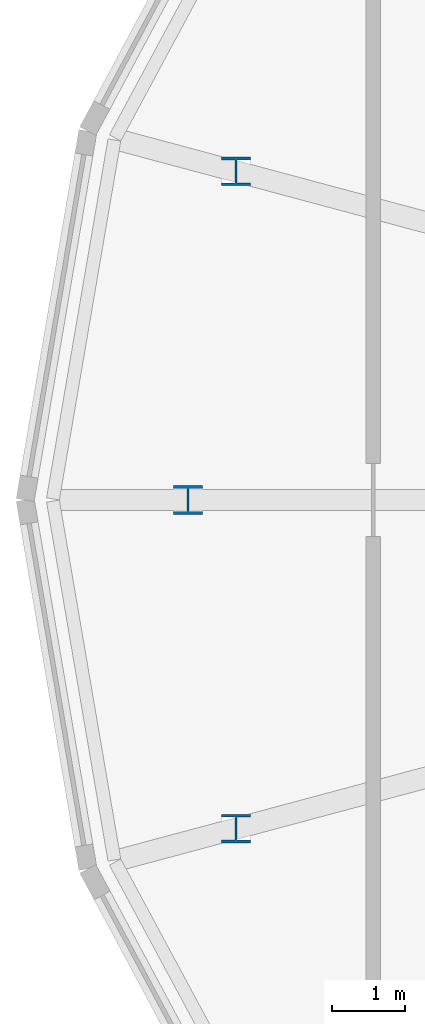
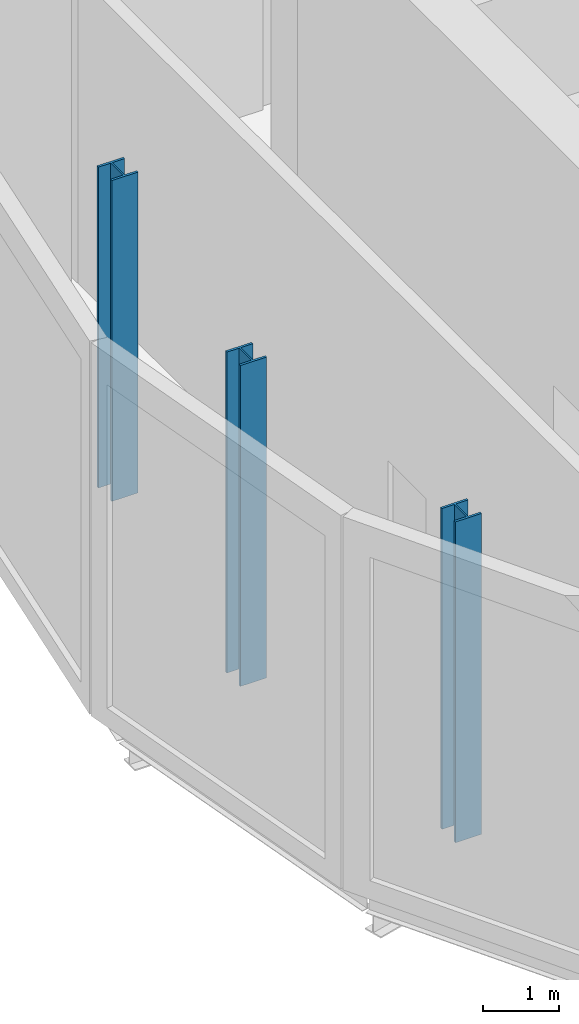
# One storey, part 1 of 39: 3 columns.
"""IFC4 building model written with IfcOpenShell, lengths in metres."""

from ifc_helpers import new_model, si_unit, direction, frame, origin, origin_2d, place, context, subcontext, project, spatial, i_section, extrude, material, material_profile, profile_set, type_object, element, save


model = new_model("IFC4")

# Units and contexts
model_context = context("Model", 3, precision=1e-05, world=origin(), true_north=direction((0.0, 1.0)))
body_context = subcontext(model_context, "Body", "Model", "MODEL_VIEW")
ifc_project = project(units=[si_unit("LENGTHUNIT", "METRE"), si_unit("AREAUNIT", "SQUARE_METRE"), si_unit("VOLUMEUNIT", "CUBIC_METRE"), si_unit("PLANEANGLEUNIT", "RADIAN"), si_unit("MASSUNIT", "GRAM", prefix="KILO")], contexts=[model_context])

# Site, building, storey
site_placement = place(None, origin())
site = spatial("IfcSite", under=ifc_project, at=site_placement, CompositionType="ELEMENT")
building_placement = place(site_placement, origin())
building = spatial("IfcBuilding", under=site, at=building_placement, Name="Rimbun Link Towers", CompositionType="ELEMENT")
storey_placement = place(building_placement, frame((0.0, 0.0, 127.199951171875)))
storey = spatial("IfcBuildingStorey", under=building, at=storey_placement, Name="L31", CompositionType="ELEMENT", Elevation=127.199951171875)

# Columns
ifc_material = material(Name="Steel S355J2", Category="steel")
ifc_material_profile = material_profile(ifc_material, i_section(OverallWidth=0.39892578125, OverallDepth=0.3935546875, WebThickness=0.022705078125, FlangeThickness=0.03662109375, at=origin_2d()), Name="UC 356x406x287")
ifc_profile_set = profile_set([ifc_material_profile], Name="Steel S355J2")
column_type = type_object("IfcColumnType", Name="UC 356x406x287", PredefinedType="COLUMN", material=ifc_profile_set)
for number, where, z_axis, x_axis, name in (
    (1, (-48.638916015625, 4.525390625, -0.179931640625), (0.0, 0.0, 1.0), (1.0, 0.0, 0.0), "Crease post T1 L31 11"),
    (2, (-49.298095703125, 0.0, -0.179931640625), (0.0, 0.0, 1.0), (1.0, 0.0, 0.0), "Crease post T1 L31 12"),
    (3, (-48.638916015625, -4.525390625, -0.179931640625), (0.0, 0.0, 1.0), (1.0, 0.0, 0.0), "Crease post T1 L31 13"),
):
    element("IfcColumn", number, at=place(storey_placement, frame(where, z_axis=z_axis, x_axis=x_axis)), inside=storey, type_object=column_type, Name=name, PredefinedType="COLUMN", context=body_context, shape_type="SweptSolid", body=[
        extrude(i_section(OverallWidth=0.39892578125, OverallDepth=0.3935546875, WebThickness=0.022705078125, FlangeThickness=0.03662109375, at=origin_2d()), origin(), (0.0, 0.0, 1.0), 5.1591796875),
    ])

save(model, "model.ifc")
